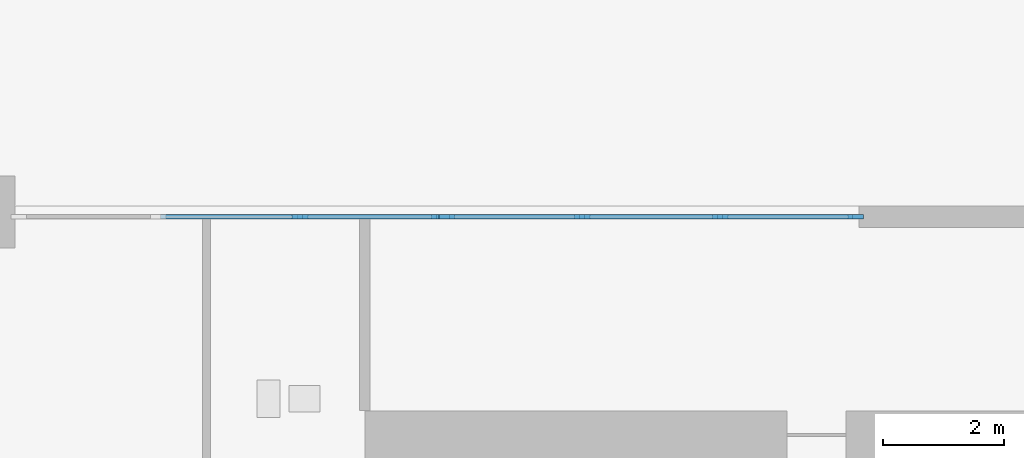
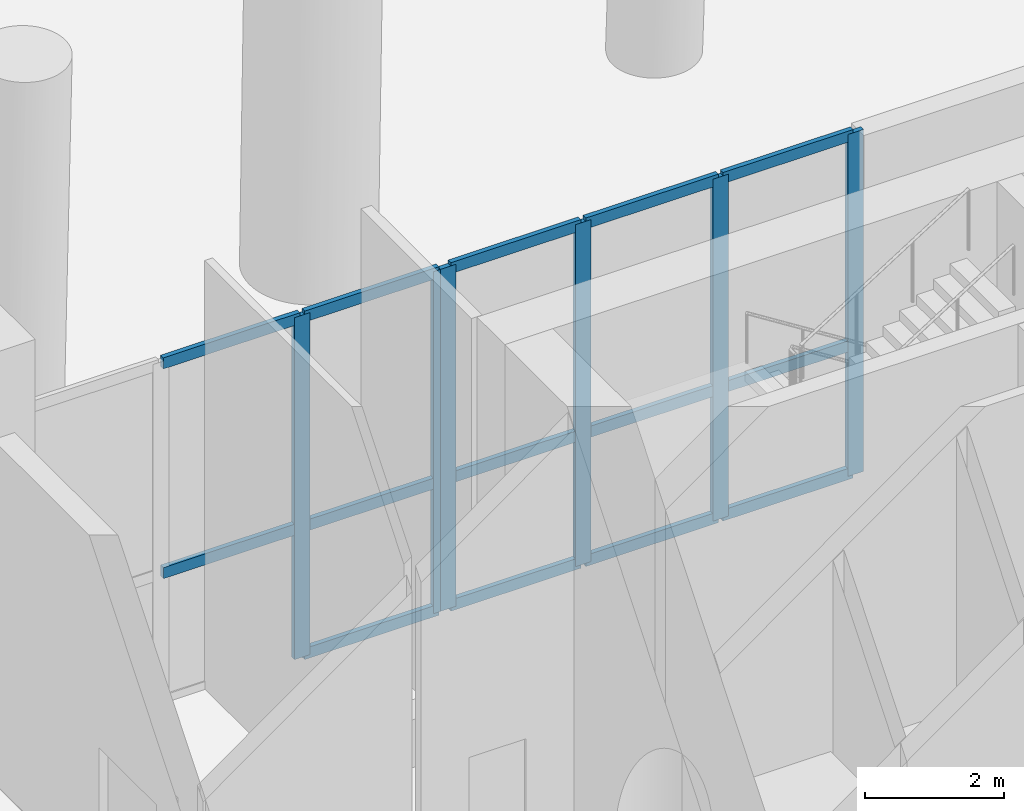
# One storey, part 4 of 16: 20 members, 2 elements without a shape of their own.
"""IFC4 building model written with IfcOpenShell, lengths in metres."""

from ifc_helpers import new_model, si_unit, direction, frame, origin, origin_2d, place, context, subcontext, project, spatial, rectangle, extrude, source, transform, mapped, material, layer, layer_set, material_profile, profile_set, type_object, element, aggregate, save


model = new_model("IFC4")

# Units and contexts
model_context = context("Model", 3, precision=1e-05, world=origin(), true_north=direction((0.0, 1.0)))
body_context = subcontext(model_context, "Body", "Model", "MODEL_VIEW")
ifc_project = project(units=[si_unit("LENGTHUNIT", "METRE"), si_unit("AREAUNIT", "SQUARE_METRE"), si_unit("VOLUMEUNIT", "CUBIC_METRE"), si_unit("PLANEANGLEUNIT", "RADIAN"), si_unit("MASSUNIT", "GRAM", prefix="KILO")], contexts=[model_context])

# Site, building, storey
site_placement = place(None, origin())
site = spatial("IfcSite", under=ifc_project, at=site_placement, CompositionType="ELEMENT")
building_placement = place(site_placement, origin())
building = spatial("IfcBuilding", under=site, at=building_placement, Name="Qafzar Sky-Pleat Residences", CompositionType="ELEMENT")
storey_placement = place(building_placement, origin())
storey = spatial("IfcBuildingStorey", under=building, at=storey_placement, Name="L00", CompositionType="ELEMENT", Elevation=0.0)

# Curtain wall, members
ifc_material_1 = material(Name="Anodised bronze aluminium framing", Category="aluminium")
ifc_layer = layer(ifc_material_1, 0.260009765625)
ifc_layer_set = layer_set([ifc_layer], Name="Anodised bronze aluminium framing")
curtain_wall_type = type_object("IfcCurtainWallType", Name="CW-SYS-01", PredefinedType="NOTDEFINED", material=ifc_layer_set)
curtain_wall_1_placement = place(storey_placement, origin())
curtain_wall_1 = element("IfcCurtainWall", 1, at=curtain_wall_1_placement, inside=storey, type_object=curtain_wall_type, Name="L00 CW-01 Curtain Wall CW-L00-03", PredefinedType="NOTDEFINED")
ifc_material_2 = material(Name="Anodised bronze aluminium", Category="aluminium")
ifc_material_profile_1 = material_profile(ifc_material_2, rectangle(XDim=0.080078125, YDim=0.260009765625, at=origin_2d()), Name="ALU MULLION 80x260")
ifc_profile_set_1 = profile_set([ifc_material_profile_1], Name="Anodised bronze aluminium")
member_type_1 = type_object("IfcMemberType", Name="CWM-01", PredefinedType="MULLION", material=ifc_profile_set_1)
shared_shape_1 = source(origin(), body_context, "Body", "SweptSolid", [
    extrude(rectangle(XDim=0.080078125, YDim=0.260009765625, at=origin_2d()), origin(), (0.0, 0.0, 1.0), 6.02001953125),
])
member_1_placement = place(storey_placement, frame((22.9267578125, 37.820068359375, 0.0), z_axis=(0.0, 0.0, 1.0), x_axis=(0.0, 1.0, 0.0)))
member_1 = element("IfcMember", 2, at=member_1_placement, type_object=member_type_1, Name="CW-01 mullion 3", PredefinedType="MULLION", context=body_context, shape_type="MappedRepresentation", body=[
    mapped(shared_shape_1, transform((0.0, 0.0, 0.0), x_axis=(1.0, 0.0, 0.0), y_axis=(0.0, 1.0, 0.0), z_axis=(0.0, 0.0, 1.0), scale=1.0)),
])
member_2_placement = place(storey_placement, frame((25.239990234375, 37.820068359375, 0.0), z_axis=(0.0, 0.0, 1.0), x_axis=(0.0, 1.0, 0.0)))
member_2 = element("IfcMember", 3, at=member_2_placement, type_object=member_type_1, Name="CW-01 mullion 4", PredefinedType="MULLION", context=body_context, shape_type="MappedRepresentation", body=[
    mapped(shared_shape_1, transform((0.0, 0.0, 0.0), x_axis=(1.0, 0.0, 0.0), y_axis=(0.0, 1.0, 0.0), z_axis=(0.0, 0.0, 1.0), scale=1.0)),
])

curtain_wall_2_placement = place(storey_placement, origin())
curtain_wall_2 = element("IfcCurtainWall", 4, at=curtain_wall_2_placement, inside=storey, type_object=curtain_wall_type, Name="L00 CW-01 Curtain Wall CW-L00-04", PredefinedType="NOTDEFINED")
member_3_placement = place(storey_placement, frame((25.360107421875, 37.820068359375, 0.0), z_axis=(0.0, 0.0, 1.0), x_axis=(0.0, 1.0, 0.0)))
member_3 = element("IfcMember", 5, at=member_3_placement, type_object=member_type_1, Name="CW-01 mullion 1", PredefinedType="MULLION", context=body_context, shape_type="MappedRepresentation", body=[
    mapped(shared_shape_1, transform((0.0, 0.0, 0.0), x_axis=(1.0, 0.0, 0.0), y_axis=(0.0, 1.0, 0.0), z_axis=(0.0, 0.0, 1.0), scale=1.0)),
])
member_4_placement = place(storey_placement, frame((27.606689453125, 37.820068359375, 0.0), z_axis=(0.0, 0.0, 1.0), x_axis=(0.0, 1.0, 0.0)))
member_4 = element("IfcMember", 6, at=member_4_placement, type_object=member_type_1, Name="CW-01 mullion 2", PredefinedType="MULLION", context=body_context, shape_type="MappedRepresentation", body=[
    mapped(shared_shape_1, transform((0.0, 0.0, 0.0), x_axis=(1.0, 0.0, 0.0), y_axis=(0.0, 1.0, 0.0), z_axis=(0.0, 0.0, 1.0), scale=1.0)),
])
member_5_placement = place(storey_placement, frame((29.893310546875, 37.820068359375, 0.0), z_axis=(0.0, 0.0, 1.0), x_axis=(0.0, 1.0, 0.0)))
member_5 = element("IfcMember", 7, at=member_5_placement, type_object=member_type_1, Name="CW-01 mullion 3", PredefinedType="MULLION", context=body_context, shape_type="MappedRepresentation", body=[
    mapped(shared_shape_1, transform((0.0, 0.0, 0.0), x_axis=(1.0, 0.0, 0.0), y_axis=(0.0, 1.0, 0.0), z_axis=(0.0, 0.0, 1.0), scale=1.0)),
])
member_6_placement = place(storey_placement, frame((32.139892578125, 37.820068359375, 0.0), z_axis=(0.0, 0.0, 1.0), x_axis=(0.0, 1.0, 0.0)))
member_6 = element("IfcMember", 8, at=member_6_placement, type_object=member_type_1, Name="CW-01 mullion 4", PredefinedType="MULLION", context=body_context, shape_type="MappedRepresentation", body=[
    mapped(shared_shape_1, transform((0.0, 0.0, 0.0), x_axis=(1.0, 0.0, 0.0), y_axis=(0.0, 1.0, 0.0), z_axis=(0.0, 0.0, 1.0), scale=1.0)),
])

# Member
ifc_material_profile_2 = material_profile(ifc_material_2, rectangle(XDim=0.080078125, YDim=0.195068359375, at=origin_2d()), Name="ALU TRANSOM 80x195")
ifc_profile_set_2 = profile_set([ifc_material_profile_2], Name="Anodised bronze aluminium")
member_type_2 = type_object("IfcMemberType", Name="CWT-01", PredefinedType="USERDEFINED", material=ifc_profile_set_2)
shared_shape_2 = source(origin(), body_context, "Body", "SweptSolid", [
    extrude(rectangle(XDim=0.080078125, YDim=0.195068359375, at=origin_2d()), origin(), (0.0, 0.0, 1.0), 2.2333984375),
])
member_7_placement = place(storey_placement, frame((22.966552734375, 37.820068359375, 0.0400390625), z_axis=(1.0, 0.0, 0.0), x_axis=(0.0, 1.0, 0.0)))
member_7 = element("IfcMember", 9, at=member_7_placement, type_object=member_type_2, Name="CW-01 transom 3.1", ObjectType="TRANSOM", PredefinedType="USERDEFINED", context=body_context, shape_type="MappedRepresentation", body=[
    mapped(shared_shape_2, transform((0.0, 0.0, 0.0), x_axis=(1.0, 0.0, 0.0), y_axis=(0.0, 1.0, 0.0), z_axis=(0.0, 0.0, 1.0), scale=1.0)),
])

member_8_placement = place(storey_placement, frame((22.966552734375, 37.820068359375, 2.28759765625), z_axis=(1.0, 0.0, 0.0), x_axis=(0.0, 1.0, 0.0)))
member_8 = element("IfcMember", 10, at=member_8_placement, type_object=member_type_2, Name="CW-01 transom 3.2", ObjectType="TRANSOM", PredefinedType="USERDEFINED", context=body_context, shape_type="MappedRepresentation", body=[
    mapped(shared_shape_2, transform((0.0, 0.0, 0.0), x_axis=(1.0, 0.0, 0.0), y_axis=(0.0, 1.0, 0.0), z_axis=(0.0, 0.0, 1.0), scale=1.0)),
])

member_9_placement = place(storey_placement, frame((22.966552734375, 37.820068359375, 5.97998046875), z_axis=(1.0, 0.0, 0.0), x_axis=(0.0, 1.0, 0.0)))
member_9 = element("IfcMember", 11, at=member_9_placement, type_object=member_type_2, Name="CW-01 transom 3.3", ObjectType="TRANSOM", PredefinedType="USERDEFINED", context=body_context, shape_type="MappedRepresentation", body=[
    mapped(shared_shape_2, transform((0.0, 0.0, 0.0), x_axis=(1.0, 0.0, 0.0), y_axis=(0.0, 1.0, 0.0), z_axis=(0.0, 0.0, 1.0), scale=1.0)),
])

shared_shape_3 = source(origin(), body_context, "Body", "SweptSolid", [
    extrude(rectangle(XDim=0.080078125, YDim=0.195068359375, at=origin_2d()), origin(), (0.0, 0.0, 1.0), 2.2734375),
])
member_10_placement = place(storey_placement, frame((20.61328125, 37.820068359375, 2.28759765625), z_axis=(1.0, 0.0, 0.0), x_axis=(0.0, 1.0, 0.0)))
member_10 = element("IfcMember", 12, at=member_10_placement, type_object=member_type_2, Name="CW-01 transom 2.2", ObjectType="TRANSOM", PredefinedType="USERDEFINED", context=body_context, shape_type="MappedRepresentation", body=[
    mapped(shared_shape_3, transform((0.0, 0.0, 0.0), x_axis=(1.0, 0.0, 0.0), y_axis=(0.0, 1.0, 0.0), z_axis=(0.0, 0.0, 1.0), scale=1.0)),
])

member_11_placement = place(storey_placement, frame((20.61328125, 37.820068359375, 5.97998046875), z_axis=(1.0, 0.0, 0.0), x_axis=(0.0, 1.0, 0.0)))
member_11 = element("IfcMember", 13, at=member_11_placement, type_object=member_type_2, Name="CW-01 transom 2.3", ObjectType="TRANSOM", PredefinedType="USERDEFINED", context=body_context, shape_type="MappedRepresentation", body=[
    mapped(shared_shape_3, transform((0.0, 0.0, 0.0), x_axis=(1.0, 0.0, 0.0), y_axis=(0.0, 1.0, 0.0), z_axis=(0.0, 0.0, 1.0), scale=1.0)),
])

aggregate(curtain_wall_1, [member_1, member_2, member_10, member_11, member_7, member_8, member_9])

shared_shape_4 = source(origin(), body_context, "Body", "SweptSolid", [
    extrude(rectangle(XDim=0.080078125, YDim=0.195068359375, at=origin_2d()), origin(), (0.0, 0.0, 1.0), 2.166748046875),
])
member_12_placement = place(storey_placement, frame((25.39990234375, 37.820068359375, 0.0400390625), z_axis=(1.0, 0.0, 0.0), x_axis=(0.0, 1.0, 0.0)))
member_12 = element("IfcMember", 14, at=member_12_placement, type_object=member_type_2, Name="CW-01 transom 1.1", ObjectType="TRANSOM", PredefinedType="USERDEFINED", context=body_context, shape_type="MappedRepresentation", body=[
    mapped(shared_shape_4, transform((0.0, 0.0, 0.0), x_axis=(1.0, 0.0, 0.0), y_axis=(0.0, 1.0, 0.0), z_axis=(0.0, 0.0, 1.0), scale=1.0)),
])

member_13_placement = place(storey_placement, frame((25.39990234375, 37.820068359375, 2.28759765625), z_axis=(1.0, 0.0, 0.0), x_axis=(0.0, 1.0, 0.0)))
member_13 = element("IfcMember", 15, at=member_13_placement, type_object=member_type_2, Name="CW-01 transom 1.2", ObjectType="TRANSOM", PredefinedType="USERDEFINED", context=body_context, shape_type="MappedRepresentation", body=[
    mapped(shared_shape_4, transform((0.0, 0.0, 0.0), x_axis=(1.0, 0.0, 0.0), y_axis=(0.0, 1.0, 0.0), z_axis=(0.0, 0.0, 1.0), scale=1.0)),
])

member_14_placement = place(storey_placement, frame((25.39990234375, 37.820068359375, 5.97998046875), z_axis=(1.0, 0.0, 0.0), x_axis=(0.0, 1.0, 0.0)))
member_14 = element("IfcMember", 16, at=member_14_placement, type_object=member_type_2, Name="CW-01 transom 1.3", ObjectType="TRANSOM", PredefinedType="USERDEFINED", context=body_context, shape_type="MappedRepresentation", body=[
    mapped(shared_shape_4, transform((0.0, 0.0, 0.0), x_axis=(1.0, 0.0, 0.0), y_axis=(0.0, 1.0, 0.0), z_axis=(0.0, 0.0, 1.0), scale=1.0)),
])

member_15_placement = place(storey_placement, frame((29.933349609375, 37.820068359375, 0.0400390625), z_axis=(1.0, 0.0, 0.0), x_axis=(0.0, 1.0, 0.0)))
member_15 = element("IfcMember", 17, at=member_15_placement, type_object=member_type_2, Name="CW-01 transom 3.1", ObjectType="TRANSOM", PredefinedType="USERDEFINED", context=body_context, shape_type="MappedRepresentation", body=[
    mapped(shared_shape_4, transform((0.0, 0.0, 0.0), x_axis=(1.0, 0.0, 0.0), y_axis=(0.0, 1.0, 0.0), z_axis=(0.0, 0.0, 1.0), scale=1.0)),
])

member_16_placement = place(storey_placement, frame((29.933349609375, 37.820068359375, 2.28759765625), z_axis=(1.0, 0.0, 0.0), x_axis=(0.0, 1.0, 0.0)))
member_16 = element("IfcMember", 18, at=member_16_placement, type_object=member_type_2, Name="CW-01 transom 3.2", ObjectType="TRANSOM", PredefinedType="USERDEFINED", context=body_context, shape_type="MappedRepresentation", body=[
    mapped(shared_shape_4, transform((0.0, 0.0, 0.0), x_axis=(1.0, 0.0, 0.0), y_axis=(0.0, 1.0, 0.0), z_axis=(0.0, 0.0, 1.0), scale=1.0)),
])

member_17_placement = place(storey_placement, frame((29.933349609375, 37.820068359375, 5.97998046875), z_axis=(1.0, 0.0, 0.0), x_axis=(0.0, 1.0, 0.0)))
member_17 = element("IfcMember", 19, at=member_17_placement, type_object=member_type_2, Name="CW-01 transom 3.3", ObjectType="TRANSOM", PredefinedType="USERDEFINED", context=body_context, shape_type="MappedRepresentation", body=[
    mapped(shared_shape_4, transform((0.0, 0.0, 0.0), x_axis=(1.0, 0.0, 0.0), y_axis=(0.0, 1.0, 0.0), z_axis=(0.0, 0.0, 1.0), scale=1.0)),
])

shared_shape_5 = source(origin(), body_context, "Body", "SweptSolid", [
    extrude(rectangle(XDim=0.080078125, YDim=0.195068359375, at=origin_2d()), origin(), (0.0, 0.0, 1.0), 2.20654296875),
])
member_18_placement = place(storey_placement, frame((27.646728515625, 37.820068359375, 0.0400390625), z_axis=(1.0, 0.0, 0.0), x_axis=(0.0, 1.0, 0.0)))
member_18 = element("IfcMember", 20, at=member_18_placement, type_object=member_type_2, Name="CW-01 transom 2.1", ObjectType="TRANSOM", PredefinedType="USERDEFINED", context=body_context, shape_type="MappedRepresentation", body=[
    mapped(shared_shape_5, transform((0.0, 0.0, 0.0), x_axis=(1.0, 0.0, 0.0), y_axis=(0.0, 1.0, 0.0), z_axis=(0.0, 0.0, 1.0), scale=1.0)),
])

member_19_placement = place(storey_placement, frame((27.646728515625, 37.820068359375, 2.28759765625), z_axis=(1.0, 0.0, 0.0), x_axis=(0.0, 1.0, 0.0)))
member_19 = element("IfcMember", 21, at=member_19_placement, type_object=member_type_2, Name="CW-01 transom 2.2", ObjectType="TRANSOM", PredefinedType="USERDEFINED", context=body_context, shape_type="MappedRepresentation", body=[
    mapped(shared_shape_5, transform((0.0, 0.0, 0.0), x_axis=(1.0, 0.0, 0.0), y_axis=(0.0, 1.0, 0.0), z_axis=(0.0, 0.0, 1.0), scale=1.0)),
])

member_20_placement = place(storey_placement, frame((27.646728515625, 37.820068359375, 5.97998046875), z_axis=(1.0, 0.0, 0.0), x_axis=(0.0, 1.0, 0.0)))
member_20 = element("IfcMember", 22, at=member_20_placement, type_object=member_type_2, Name="CW-01 transom 2.3", ObjectType="TRANSOM", PredefinedType="USERDEFINED", context=body_context, shape_type="MappedRepresentation", body=[
    mapped(shared_shape_5, transform((0.0, 0.0, 0.0), x_axis=(1.0, 0.0, 0.0), y_axis=(0.0, 1.0, 0.0), z_axis=(0.0, 0.0, 1.0), scale=1.0)),
])

aggregate(curtain_wall_2, [member_3, member_4, member_5, member_6, member_12, member_13, member_14, member_18, member_19, member_20, member_15, member_16, member_17])

save(model, "model.ifc")
